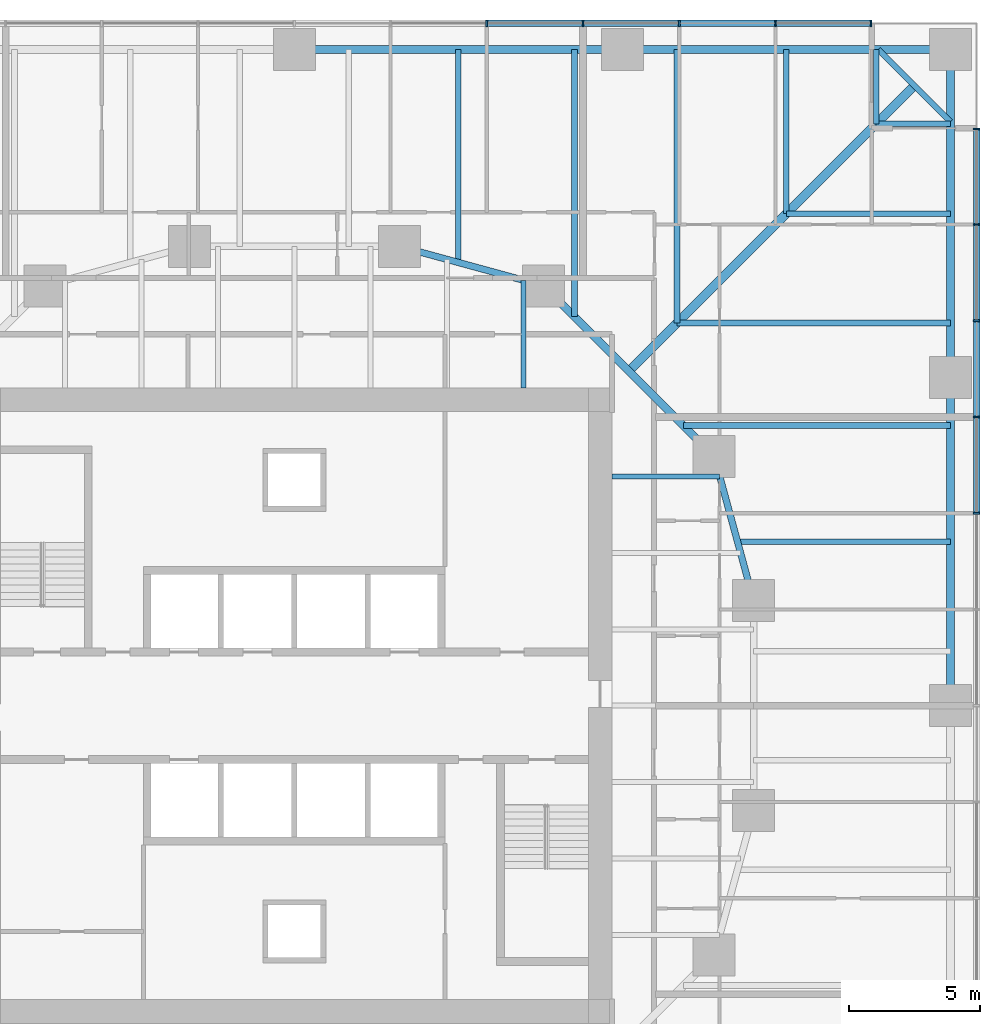
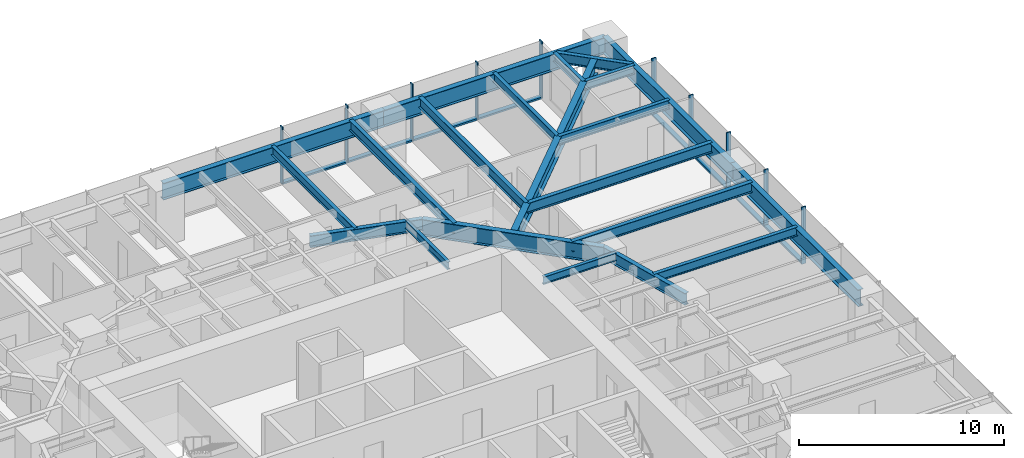
# One storey, part 6 of 14: 21 beams, 18 members, 2 elements without a shape of their own.
"""IFC4 building model written with IfcOpenShell, lengths in metres."""

import ifcopenshell
import ifcopenshell.guid

model = None  # the IFC model being written
_history = None  # IfcOwnerHistory: only IFC2X3 demands one
_inside = {}  # id of a spatial element -> (the spatial element, [elements in it])
_under = {}  # id of a project, library or spatial element -> (it, [spatial elements below it])
_declared = {}  # id of a project -> (the project, [libraries it declares])
_typed = {}  # id of a type object -> (the type object, [elements of that type])
_made_of = {}  # id of a material, layer set ... -> (it, [elements and type objects made of it])


def new_model(schema):
    """Start an empty IFC model of exactly this schema.

    Asked for "IFC4X3", IfcOpenShell would pick the latest addendum, in which some entities
    have other attributes; the version numbers below select the first issue.
    IFC2X3 requires an IfcOwnerHistory on every rooted entity: one is made here for all.
    """
    global model, _history
    if schema == "IFC4X3":
        model = ifcopenshell.file(schema_version=(4, 3, 0, 0))
    else:
        model = ifcopenshell.file(schema=schema)
    _inside.clear()
    _under.clear()
    _declared.clear()
    _typed.clear()
    _made_of.clear()
    _history = None
    if model.schema == "IFC2X3":
        org = make("IfcOrganization", Name="unknown")
        user = make(
            "IfcPersonAndOrganization",
            ThePerson=make("IfcPerson", FamilyName="unknown"),
            TheOrganization=org,
        )
        app = make(
            "IfcApplication",
            ApplicationDeveloper=org,
            Version="unknown",
            ApplicationFullName="unknown",
            ApplicationIdentifier="unknown",
        )
        _history = make(
            "IfcOwnerHistory",
            OwningUser=user,
            OwningApplication=app,
            ChangeAction="ADDED",
            CreationDate=0,
        )
    return model


def make(cls, **values):
    """One entity of the class cls with the attributes given. An attribute that is None is left unset."""
    return model.create_entity(
        cls, **{name: value for name, value in values.items() if value is not None}
    )


def rooted(cls, **values):
    """An entity with a GlobalId (a new one), such as an element, a storey or a relation."""
    return make(cls, GlobalId=ifcopenshell.guid.new(), OwnerHistory=_history, **values)


def si_unit(unit_type, name, prefix=None):
    """IfcSIUnit, for example si_unit("LENGTHUNIT", "METRE", prefix="MILLI")."""
    return make("IfcSIUnit", UnitType=unit_type, Prefix=prefix, Name=name)


def assignment(units):
    """IfcUnitAssignment: the units of a project."""
    return None if units is None else make("IfcUnitAssignment", Units=units)


def point(xyz):
    """IfcCartesianPoint."""
    return None if xyz is None else make("IfcCartesianPoint", Coordinates=xyz)


def direction(xyz):
    """IfcDirection."""
    return None if xyz is None else make("IfcDirection", DirectionRatios=xyz)


def frame(location, z_axis=None, x_axis=None):
    """IfcAxis2Placement3D, a coordinate frame: its origin and axes. An axis left out is left unset."""
    return make(
        "IfcAxis2Placement3D",
        Location=point(location),
        Axis=direction(z_axis),
        RefDirection=direction(x_axis),
    )


def frame_2d(location, x_axis=None):
    """IfcAxis2Placement2D, a coordinate frame in the plane: its origin and x axis."""
    return make(
        "IfcAxis2Placement2D", Location=point(location), RefDirection=direction(x_axis)
    )


def origin():
    """The frame at (0, 0, 0) with its axes left unset."""
    return frame((0.0, 0.0, 0.0))


def origin_2d():
    """The frame at (0, 0) in the plane with its x axis left unset."""
    return frame_2d((0.0, 0.0))


def place(relative_to, where):
    """IfcLocalPlacement: puts the frame where relative to a parent placement (None: the world)."""
    return make(
        "IfcLocalPlacement", PlacementRelTo=relative_to, RelativePlacement=where
    )


def context(
    kind, dimensions, precision=None, world=None, true_north=None, identifier=None
):
    """IfcGeometricRepresentationContext, for example the 3D "Model" context."""
    return make(
        "IfcGeometricRepresentationContext",
        ContextIdentifier=identifier,
        ContextType=kind,
        CoordinateSpaceDimension=dimensions,
        Precision=precision,
        WorldCoordinateSystem=world,
        TrueNorth=true_north,
    )


def subcontext(parent, identifier, kind, view, scale=None):
    """IfcGeometricRepresentationSubContext, for example "Body" below "Model"."""
    return make(
        "IfcGeometricRepresentationSubContext",
        ContextIdentifier=identifier,
        ContextType=kind,
        ParentContext=parent,
        TargetScale=scale,
        TargetView=view,
    )


def project(units=None, contexts=None):
    """IfcProject with its units and contexts."""
    return rooted(
        "IfcProject",
        Name="project",
        RepresentationContexts=contexts,
        UnitsInContext=assignment(units),
    )


def spatial(cls, under=None, at=None, **own):
    """A site, building, storey or space (cls), placed at a placement, below another one or the project."""
    s = rooted(cls, ObjectPlacement=at, **own)
    if under is not None:
        _under.setdefault(under.id(), (under, []))[1].append(s)
    return s


def profile(cls, at=None, kind="AREA", **sizes):
    """A parametric profile (cls). Its sizes go by their IFC names, for example OverallWidth=200.0."""
    return make(cls, ProfileType=kind, Position=at, **sizes)


def rectangle(**sizes):
    """IfcRectangleProfileDef."""
    return profile("IfcRectangleProfileDef", **sizes)


def i_section(**sizes):
    """IfcIShapeProfileDef."""
    return profile("IfcIShapeProfileDef", **sizes)


def extrude(swept, where, along, depth):
    """IfcExtrudedAreaSolid: the profile swept, set in the frame where, extruded along a direction by depth."""
    return make(
        "IfcExtrudedAreaSolid",
        SweptArea=swept,
        Position=where,
        ExtrudedDirection=direction(along),
        Depth=depth,
    )


def shape(context_of_items, identifier, shape_type, items):
    """IfcShapeRepresentation: the items that make up one representation, for example the "Body"."""
    return make(
        "IfcShapeRepresentation",
        ContextOfItems=context_of_items,
        RepresentationIdentifier=identifier,
        RepresentationType=shape_type,
        Items=items,
    )


def material(Name=None, Category=None):
    """IfcMaterial."""
    return make("IfcMaterial", Name=Name, Category=Category)


def material_profile(
    of_material, cross_section, Name=None, Category=None, Priority=None
):
    """IfcMaterialProfile: a cross section and its material."""
    return make(
        "IfcMaterialProfile",
        Name=Name,
        Material=of_material,
        Profile=cross_section,
        Priority=Priority,
        Category=Category,
    )


def profile_set(profiles, Name=None, composite=None):
    """IfcMaterialProfileSet."""
    return make(
        "IfcMaterialProfileSet",
        Name=Name,
        MaterialProfiles=profiles,
        CompositeProfile=composite,
    )


def made_of(thing, what):
    """Note that an element or type object is made of a material, layer set ...; save() writes the relation."""
    if what is not None:
        _made_of.setdefault(what.id(), (what, []))[1].append(thing)
    return thing


def type_object(cls, material=None, **own):
    """A type object (cls), such as IfcWallType, which elements share."""
    return made_of(rooted(cls, **own), material)


def element(
    cls,
    number,
    at=None,
    inside=None,
    cuts=None,
    type_object=None,
    material=None,
    context=None,
    identifier="Body",
    shape_type=None,
    held_by="IfcProductDefinitionShape",
    body=None,
    shapes=None,
    **own,
):
    """One element of the class cls, such as IfcWall. Its Tag is "e" and its number.

    at: its placement. inside: the storey or other place that contains it. cuts: it is an
    opening in that element (IfcRelVoidsElement). A single representation is given by context,
    identifier, shape_type and body (its items); several are given by shapes. held_by: the class
    of the entity that holds the representations. save() writes the other relations.
    """
    e = rooted(cls, Tag="e%d" % number, ObjectPlacement=at, **own)
    if body is not None:
        shapes = [shape(context, identifier, shape_type, body)]
    if shapes is not None:
        e.Representation = make(held_by, Representations=shapes)
    if inside is not None:
        _inside.setdefault(inside.id(), (inside, []))[1].append(e)
    if cuts is not None:
        rooted(
            "IfcRelVoidsElement", RelatingBuildingElement=cuts, RelatedOpeningElement=e
        )
    if type_object is not None:
        _typed.setdefault(type_object.id(), (type_object, []))[1].append(e)
    return made_of(e, material)


def aggregate(whole, parts):
    """IfcRelAggregates: a whole, such as a stair, and the parts it consists of."""
    return rooted("IfcRelAggregates", RelatingObject=whole, RelatedObjects=parts)


def save(model, path):
    """Write the relations noted so far, then the file.

    IfcRelAggregates (storeys below a building ...), IfcRelContainedInSpatialStructure (elements
    in a storey), IfcRelDefinesByType, IfcRelAssociatesMaterial and IfcRelDeclares: one each for
    every whole, place, type object, material and project.
    """
    for whole, parts in _under.values():
        aggregate(whole, parts)
    for where, things in _inside.values():
        rooted(
            "IfcRelContainedInSpatialStructure",
            RelatedElements=things,
            RelatingStructure=where,
        )
    for kind, things in _typed.values():
        rooted("IfcRelDefinesByType", RelatedObjects=things, RelatingType=kind)
    for what, things in _made_of.values():
        rooted("IfcRelAssociatesMaterial", RelatedObjects=things, RelatingMaterial=what)
    for by, libraries in _declared.values():
        rooted("IfcRelDeclares", RelatingContext=by, RelatedDefinitions=libraries)
    model.write(path)


model = new_model("IFC4")

# Units and contexts
model_context = context("Model", 3, precision=1e-05, world=origin(), true_north=direction((0.0, 1.0)))
body_context = subcontext(model_context, "Body", "Model", "MODEL_VIEW")
ifc_project = project(units=[si_unit("LENGTHUNIT", "METRE"), si_unit("AREAUNIT", "SQUARE_METRE"), si_unit("VOLUMEUNIT", "CUBIC_METRE"), si_unit("PLANEANGLEUNIT", "RADIAN"), si_unit("MASSUNIT", "GRAM", prefix="KILO")], contexts=[model_context])

# Site, building, storey
site_placement = place(None, origin())
site = spatial("IfcSite", under=ifc_project, at=site_placement, CompositionType="ELEMENT")
building_placement = place(site_placement, origin())
building = spatial("IfcBuilding", under=site, at=building_placement, Name="Torsade Residences", CompositionType="ELEMENT")
storey_placement = place(building_placement, frame((0.0, 0.0, 32.0)))
storey = spatial("IfcBuildingStorey", under=building, at=storey_placement, Name="L08", CompositionType="ELEMENT", Elevation=32.0)

# Beams
ifc_material_1 = material(Name="Steel grade 300", Category="steel")
ifc_material_profile_1 = material_profile(ifc_material_1, i_section(OverallWidth=0.35009765625, OverallDepth=0.909912109375, WebThickness=0.011962890625, FlangeThickness=0.02490234375, at=origin_2d()), Name="900WB218")
ifc_profile_set_1 = profile_set([ifc_material_profile_1], Name="Steel grade 300")
beam_type_1 = type_object("IfcBeamType", Name="CORNER GIRDER 900WB218", PredefinedType="BEAM", material=ifc_profile_set_1)
beam_1_placement = place(storey_placement, frame((63.625, 53.625, 2.794921875), z_axis=(-0.707106781187, -0.707106781187, 0.0), x_axis=(0.707106781187, -0.707106781187, 0.0)))
element("IfcBeam", 1, at=beam_1_placement, inside=storey, type_object=beam_type_1, Name="Corner girder 09 L09", PredefinedType="BEAM", context=body_context, shape_type="SweptSolid", body=[
    extrude(i_section(OverallWidth=0.35009765625, OverallDepth=0.909912109375, WebThickness=0.011962890625, FlangeThickness=0.02490234375, at=origin_2d()), origin(), (0.0, 0.0, 1.0), 15.379638671875),
])
ifc_material_2 = material(Name="Steel grade 300", Category="steel")
ifc_material_profile_2 = material_profile(ifc_material_2, i_section(OverallWidth=0.22802734375, OverallDepth=0.60205078125, WebThickness=0.010498046875, FlangeThickness=0.014892578125, FilletRadius=0.013916015625, at=origin_2d()), Name="610UB101")
ifc_profile_set_2 = profile_set([ifc_material_profile_2], Name="Steel grade 300")
beam_type_2 = type_object("IfcBeamType", Name="CORNER TRIMMER 610UB101", PredefinedType="BEAM", material=ifc_profile_set_2)
beam_2_placement = place(storey_placement, frame((62.25, 55.0, 2.948974609375), z_axis=(0.707106781187, -0.707106781187, 0.0), x_axis=(0.707106781187, 0.707106781187, 0.0)))
element("IfcBeam", 2, at=beam_2_placement, inside=storey, type_object=beam_type_2, Name="Corner trimmer 09 L09", PredefinedType="BEAM", context=body_context, shape_type="SweptSolid", body=[
    extrude(i_section(OverallWidth=0.22802734375, OverallDepth=0.60205078125, WebThickness=0.010498046875, FlangeThickness=0.014892578125, FilletRadius=0.013916015625, at=origin_2d()), origin(), (0.0, 0.0, 1.0), 3.88916015625),
])

# Curtain wall, members
ifc_material_3 = material(Name="Aluminium and glass", Category="aluminium")
curtain_wall_type = type_object("IfcCurtainWallType", Name="FRITTED GLASS CURTAIN WALL LOW ZONE", PredefinedType="NOTDEFINED", material=ifc_material_3)
curtain_wall_1_placement = place(storey_placement, origin())
curtain_wall_1 = element("IfcCurtainWall", 3, at=curtain_wall_1_placement, inside=storey, type_object=curtain_wall_type, Name="Curtain wall L08 face 4", PredefinedType="NOTDEFINED")
ifc_material_4 = material(Name="Aluminium mullion", Category="aluminium")
ifc_material_profile_3 = material_profile(ifc_material_4, rectangle(XDim=0.25, YDim=0.06494140625, at=origin_2d()), Name="CURTAIN WALL MULLION 250x65")
ifc_profile_set_3 = profile_set([ifc_material_profile_3], Name="Aluminium mullion")
member_type_1 = type_object("IfcMemberType", Name="CURTAIN WALL MULLION 250x65", PredefinedType="MULLION", material=ifc_profile_set_3)
member_1_placement = place(storey_placement, frame((66.0, 37.333251953125, 0.0), z_axis=(0.0, 0.0, 1.0), x_axis=(-1.0, 0.0, 0.0)))
member_1 = element("IfcMember", 4, at=member_1_placement, type_object=member_type_1, Name="Mullion 9", PredefinedType="MULLION", context=body_context, shape_type="SweptSolid", body=[
    extrude(rectangle(XDim=0.25, YDim=0.06494140625, at=origin_2d()), origin(), (0.0, 0.0, 1.0), 3.39990234375),
])
member_2_placement = place(storey_placement, frame((66.0, 41.0, 0.0), z_axis=(0.0, 0.0, 1.0), x_axis=(-1.0, 0.0, 0.0)))
member_2 = element("IfcMember", 5, at=member_2_placement, type_object=member_type_1, Name="Mullion 10", PredefinedType="MULLION", context=body_context, shape_type="SweptSolid", body=[
    extrude(rectangle(XDim=0.25, YDim=0.06494140625, at=origin_2d()), origin(), (0.0, 0.0, 1.0), 3.39990234375),
])
member_3_placement = place(storey_placement, frame((66.0, 44.666748046875, 0.0), z_axis=(0.0, 0.0, 1.0), x_axis=(-1.0, 0.0, 0.0)))
member_3 = element("IfcMember", 6, at=member_3_placement, type_object=member_type_1, Name="Mullion 11", PredefinedType="MULLION", context=body_context, shape_type="SweptSolid", body=[
    extrude(rectangle(XDim=0.25, YDim=0.06494140625, at=origin_2d()), origin(), (0.0, 0.0, 1.0), 3.39990234375),
])
member_4_placement = place(storey_placement, frame((66.0, 48.333251953125, 0.0), z_axis=(0.0, 0.0, 1.0), x_axis=(-1.0, 0.0, 0.0)))
member_4 = element("IfcMember", 7, at=member_4_placement, type_object=member_type_1, Name="Mullion 12", PredefinedType="MULLION", context=body_context, shape_type="SweptSolid", body=[
    extrude(rectangle(XDim=0.25, YDim=0.06494140625, at=origin_2d()), origin(), (0.0, 0.0, 1.0), 3.39990234375),
])
member_5_placement = place(storey_placement, frame((66.0, 51.967529296875, 0.0), z_axis=(0.0, 0.0, 1.0), x_axis=(-1.0, 0.0, 0.0)))
member_5 = element("IfcMember", 8, at=member_5_placement, type_object=member_type_1, Name="Mullion 13", PredefinedType="MULLION", context=body_context, shape_type="SweptSolid", body=[
    extrude(rectangle(XDim=0.25, YDim=0.06494140625, at=origin_2d()), origin(), (0.0, 0.0, 1.0), 3.39990234375),
])

curtain_wall_2_placement = place(storey_placement, origin())
curtain_wall_2 = element("IfcCurtainWall", 9, at=curtain_wall_2_placement, inside=storey, type_object=curtain_wall_type, Name="Curtain wall L08 face 7", PredefinedType="NOTDEFINED")
member_6_placement = place(storey_placement, frame((61.967529296875, 56.0, 0.0), z_axis=(0.0, 0.0, 1.0), x_axis=(0.0, -1.0, 0.0)))
member_6 = element("IfcMember", 10, at=member_6_placement, type_object=member_type_1, Name="Mullion 1", PredefinedType="MULLION", context=body_context, shape_type="SweptSolid", body=[
    extrude(rectangle(XDim=0.25, YDim=0.06494140625, at=origin_2d()), origin(), (0.0, 0.0, 1.0), 3.39990234375),
])
member_7_placement = place(storey_placement, frame((58.333251953125, 56.0, 0.0), z_axis=(0.0, 0.0, 1.0), x_axis=(0.0, -1.0, 0.0)))
member_7 = element("IfcMember", 11, at=member_7_placement, type_object=member_type_1, Name="Mullion 2", PredefinedType="MULLION", context=body_context, shape_type="SweptSolid", body=[
    extrude(rectangle(XDim=0.25, YDim=0.06494140625, at=origin_2d()), origin(), (0.0, 0.0, 1.0), 3.39990234375),
])
member_8_placement = place(storey_placement, frame((54.666748046875, 56.0, 0.0), z_axis=(0.0, 0.0, 1.0), x_axis=(0.0, -1.0, 0.0)))
member_8 = element("IfcMember", 12, at=member_8_placement, type_object=member_type_1, Name="Mullion 3", PredefinedType="MULLION", context=body_context, shape_type="SweptSolid", body=[
    extrude(rectangle(XDim=0.25, YDim=0.06494140625, at=origin_2d()), origin(), (0.0, 0.0, 1.0), 3.39990234375),
])
member_9_placement = place(storey_placement, frame((51.0, 56.0, 0.0), z_axis=(0.0, 0.0, 1.0), x_axis=(0.0, -1.0, 0.0)))
member_9 = element("IfcMember", 13, at=member_9_placement, type_object=member_type_1, Name="Mullion 4", PredefinedType="MULLION", context=body_context, shape_type="SweptSolid", body=[
    extrude(rectangle(XDim=0.25, YDim=0.06494140625, at=origin_2d()), origin(), (0.0, 0.0, 1.0), 3.39990234375),
])
member_10_placement = place(storey_placement, frame((47.333251953125, 56.0, 0.0), z_axis=(0.0, 0.0, 1.0), x_axis=(0.0, -1.0, 0.0)))
member_10 = element("IfcMember", 14, at=member_10_placement, type_object=member_type_1, Name="Mullion 5", PredefinedType="MULLION", context=body_context, shape_type="SweptSolid", body=[
    extrude(rectangle(XDim=0.25, YDim=0.06494140625, at=origin_2d()), origin(), (0.0, 0.0, 1.0), 3.39990234375),
])

# Member
ifc_material_5 = material(Name="Aluminium transom", Category="aluminium")
ifc_material_profile_4 = material_profile(ifc_material_5, rectangle(XDim=0.25, YDim=0.10009765625, at=origin_2d()), Name="CURTAIN WALL TRANSOM 250x100")
ifc_profile_set_4 = profile_set([ifc_material_profile_4], Name="Aluminium transom")
member_type_2 = type_object("IfcMemberType", Name="CURTAIN WALL TRANSOM 250x100", PredefinedType="USERDEFINED", material=ifc_profile_set_4)
member_11_placement = place(storey_placement, frame((66.0, 37.36572265625, 0.050048828125), z_axis=(0.0, 1.0, 0.0), x_axis=(-1.0, 0.0, 0.0)))
member_11 = element("IfcMember", 15, at=member_11_placement, type_object=member_type_2, Name="Transom 9.1", ObjectType="TRANSOM", PredefinedType="USERDEFINED", context=body_context, shape_type="SweptSolid", body=[
    extrude(rectangle(XDim=0.25, YDim=0.10009765625, at=origin_2d()), origin(), (0.0, 0.0, 1.0), 3.601806640625),
])

member_12_placement = place(storey_placement, frame((66.0, 41.032470703125, 0.050048828125), z_axis=(0.0, 1.0, 0.0), x_axis=(-1.0, 0.0, 0.0)))
member_12 = element("IfcMember", 16, at=member_12_placement, type_object=member_type_2, Name="Transom 10.1", ObjectType="TRANSOM", PredefinedType="USERDEFINED", context=body_context, shape_type="SweptSolid", body=[
    extrude(rectangle(XDim=0.25, YDim=0.10009765625, at=origin_2d()), origin(), (0.0, 0.0, 1.0), 3.601806640625),
])

member_13_placement = place(storey_placement, frame((66.0, 44.69921875, 0.050048828125), z_axis=(0.0, 1.0, 0.0), x_axis=(-1.0, 0.0, 0.0)))
member_13 = element("IfcMember", 17, at=member_13_placement, type_object=member_type_2, Name="Transom 11.1", ObjectType="TRANSOM", PredefinedType="USERDEFINED", context=body_context, shape_type="SweptSolid", body=[
    extrude(rectangle(XDim=0.25, YDim=0.10009765625, at=origin_2d()), origin(), (0.0, 0.0, 1.0), 3.6015625),
])

member_14_placement = place(storey_placement, frame((66.0, 48.36572265625, 0.050048828125), z_axis=(0.0, 1.0, 0.0), x_axis=(-1.0, 0.0, 0.0)))
member_14 = element("IfcMember", 18, at=member_14_placement, type_object=member_type_2, Name="Transom 12.1", ObjectType="TRANSOM", PredefinedType="USERDEFINED", context=body_context, shape_type="SweptSolid", body=[
    extrude(rectangle(XDim=0.25, YDim=0.10009765625, at=origin_2d()), origin(), (0.0, 0.0, 1.0), 3.5693359375),
])

aggregate(curtain_wall_1, [member_1, member_2, member_3, member_4, member_5, member_11, member_12, member_13, member_14])

member_15_placement = place(storey_placement, frame((61.93505859375, 56.0, 0.050048828125), z_axis=(-1.0, 0.0, 0.0), x_axis=(0.0, -1.0, 0.0)))
member_15 = element("IfcMember", 19, at=member_15_placement, type_object=member_type_2, Name="Transom 1.1", ObjectType="TRANSOM", PredefinedType="USERDEFINED", context=body_context, shape_type="SweptSolid", body=[
    extrude(rectangle(XDim=0.25, YDim=0.10009765625, at=origin_2d()), origin(), (0.0, 0.0, 1.0), 3.5693359375),
])

member_16_placement = place(storey_placement, frame((58.30078125, 56.0, 0.050048828125), z_axis=(-1.0, 0.0, 0.0), x_axis=(0.0, -1.0, 0.0)))
member_16 = element("IfcMember", 20, at=member_16_placement, type_object=member_type_2, Name="Transom 2.1", ObjectType="TRANSOM", PredefinedType="USERDEFINED", context=body_context, shape_type="SweptSolid", body=[
    extrude(rectangle(XDim=0.25, YDim=0.10009765625, at=origin_2d()), origin(), (0.0, 0.0, 1.0), 3.6015625),
])

member_17_placement = place(storey_placement, frame((54.63427734375, 56.0, 0.050048828125), z_axis=(-1.0, 0.0, 0.0), x_axis=(0.0, -1.0, 0.0)))
member_17 = element("IfcMember", 21, at=member_17_placement, type_object=member_type_2, Name="Transom 3.1", ObjectType="TRANSOM", PredefinedType="USERDEFINED", context=body_context, shape_type="SweptSolid", body=[
    extrude(rectangle(XDim=0.25, YDim=0.10009765625, at=origin_2d()), origin(), (0.0, 0.0, 1.0), 3.601806640625),
])

member_18_placement = place(storey_placement, frame((50.967529296875, 56.0, 0.050048828125), z_axis=(-1.0, 0.0, 0.0), x_axis=(0.0, -1.0, 0.0)))
member_18 = element("IfcMember", 22, at=member_18_placement, type_object=member_type_2, Name="Transom 4.1", ObjectType="TRANSOM", PredefinedType="USERDEFINED", context=body_context, shape_type="SweptSolid", body=[
    extrude(rectangle(XDim=0.25, YDim=0.10009765625, at=origin_2d()), origin(), (0.0, 0.0, 1.0), 3.601806640625),
])

aggregate(curtain_wall_2, [member_6, member_7, member_8, member_9, member_10, member_15, member_16, member_17, member_18])

# Beams
ifc_material_6 = material(Name="Steel grade 300", Category="steel")
ifc_material_profile_5 = material_profile(ifc_material_6, i_section(OverallWidth=0.300048828125, OverallDepth=1.0, WebThickness=0.01611328125, FlangeThickness=0.028076171875, at=origin_2d()), Name="1000WB215")
ifc_profile_set_5 = profile_set([ifc_material_profile_5], Name="Steel grade 300")
beam_type_3 = type_object("IfcBeamType", Name="EDGE BEAM 1000WB215", PredefinedType="SPANDREL", material=ifc_profile_set_5)
for number, where, z_axis, x_axis, name in (
    (23, (65.0, 30.0, 2.75), (0.0, 1.0, 0.0), (-1.0, 0.0, 0.0), "Edge beam 07 L09"),
    (24, (65.0, 42.5, 2.75), (0.0, 1.0, 0.0), (-1.0, 0.0, 0.0), "Edge beam 08 L09"),
    (25, (65.0, 55.0, 2.75), (-1.0, 0.0, 0.0), (0.0, -1.0, 0.0), "Edge beam 09 L09"),
    (26, (52.5, 55.0, 2.75), (-1.0, 0.0, 0.0), (0.0, -1.0, 0.0), "Edge beam 10 L09"),
):
    element("IfcBeam", number, at=place(storey_placement, frame(where, z_axis=z_axis, x_axis=x_axis)), inside=storey, type_object=beam_type_3, Name=name, PredefinedType="SPANDREL", context=body_context, shape_type="SweptSolid", body=[
        extrude(i_section(OverallWidth=0.300048828125, OverallDepth=1.0, WebThickness=0.01611328125, FlangeThickness=0.028076171875, at=origin_2d()), origin(), (0.0, 0.0, 1.0), 12.5),
    ])
ifc_material_7 = material(Name="Steel grade 300", Category="steel")
ifc_material_profile_6 = material_profile(ifc_material_7, i_section(OverallWidth=0.18994140625, OverallDepth=0.4541015625, WebThickness=0.008544921875, FlangeThickness=0.0126953125, FilletRadius=0.011474609375, at=origin_2d()), Name="460UB67.1")
ifc_profile_set_6 = profile_set([ifc_material_profile_6], Name="Steel grade 300")
beam_type_4 = type_object("IfcBeamType", Name="INNER FLOOR BEAM 460UB67.1", PredefinedType="JOIST", material=ifc_profile_set_6)
for number, where, z_axis, x_axis, name in (
    (27, (48.737548828125, 42.10009765625, 3.02294921875), (0.0, 1.0, 0.0), (-1.0, 0.0, 0.0), "Inner floor beam IN07 L09"),
    (28, (52.10009765625, 38.737548828125, 3.02294921875), (1.0, 0.0, 0.0), (0.0, 1.0, 0.0), "Inner floor beam IE07 L09"),
):
    element("IfcBeam", number, at=place(storey_placement, frame(where, z_axis=z_axis, x_axis=x_axis)), inside=storey, type_object=beam_type_4, Name=name, PredefinedType="JOIST", context=body_context, shape_type="SweptSolid", body=[
        extrude(i_section(OverallWidth=0.18994140625, OverallDepth=0.4541015625, WebThickness=0.008544921875, FlangeThickness=0.0126953125, FilletRadius=0.011474609375, at=origin_2d()), origin(), (0.0, 0.0, 1.0), 4.10791015625),
    ])
ifc_material_8 = material(Name="Steel grade 300", Category="steel")
ifc_material_profile_7 = material_profile(ifc_material_8, i_section(OverallWidth=0.300048828125, OverallDepth=1.0, WebThickness=0.01611328125, FlangeThickness=0.028076171875, at=origin_2d()), Name="1000WB215")
ifc_profile_set_7 = profile_set([ifc_material_profile_7], Name="Steel grade 300")
beam_type_5 = type_object("IfcBeamType", Name="RING CORNER GIRDER 1000WB215", PredefinedType="BEAM", material=ifc_profile_set_7)
beam_3_placement = place(storey_placement, frame((56.0, 39.5, 2.75), z_axis=(-0.707106781187, 0.707106781187, 0.0), x_axis=(-0.707106781187, -0.707106781187, 0.0)))
element("IfcBeam", 29, at=beam_3_placement, inside=storey, type_object=beam_type_5, Name="Ring girder IR03 L09", PredefinedType="BEAM", context=body_context, shape_type="SweptSolid", body=[
    extrude(i_section(OverallWidth=0.300048828125, OverallDepth=1.0, WebThickness=0.01611328125, FlangeThickness=0.028076171875, at=origin_2d()), origin(), (0.0, 0.0, 1.0), 9.1923828125),
])
ifc_material_9 = material(Name="Steel grade 300", Category="steel")
ifc_material_profile_8 = material_profile(ifc_material_9, i_section(OverallWidth=0.25, OverallDepth=0.699951171875, WebThickness=0.010009765625, FlangeThickness=0.02001953125, at=origin_2d()), Name="700WB130")
ifc_profile_set_8 = profile_set([ifc_material_profile_8], Name="Steel grade 300")
beam_type_6 = type_object("IfcBeamType", Name="RING GIRDER 700WB130", PredefinedType="BEAM", material=ifc_profile_set_8)
for number, where, z_axis, x_axis, name in (
    (30, (57.5, 34.0, 2.89990234375), (-0.263117405792, 0.964763821238, 0.0), (-0.964763821238, -0.263117405792, 0.0), "Ring girder IR02 L09"),
    (31, (49.5, 46.0, 2.89990234375), (-0.964763821238, 0.263117405792, 0.0), (-0.263117405792, -0.964763821238, 0.0), "Ring girder IR04 L09"),
):
    element("IfcBeam", number, at=place(storey_placement, frame(where, z_axis=z_axis, x_axis=x_axis)), inside=storey, type_object=beam_type_6, Name=name, PredefinedType="BEAM", context=body_context, shape_type="SweptSolid", body=[
        extrude(i_section(OverallWidth=0.25, OverallDepth=0.699951171875, WebThickness=0.010009765625, FlangeThickness=0.02001953125, at=origin_2d()), origin(), (0.0, 0.0, 1.0), 5.700927734375),
    ])
ifc_material_10 = material(Name="Steel grade 300", Category="steel")
ifc_material_profile_9 = material_profile(ifc_material_10, i_section(OverallWidth=0.208984375, OverallDepth=0.528076171875, WebThickness=0.009521484375, FlangeThickness=0.01318359375, FilletRadius=0.013916015625, at=origin_2d()), Name="530UB82.0")
ifc_profile_set_9 = profile_set([ifc_material_profile_9], Name="Steel grade 300")
beam_type_7 = type_object("IfcBeamType", Name="SECONDARY BEAM 530UB82.0", PredefinedType="JOIST", material=ifc_profile_set_9)
beam_4_placement = place(storey_placement, frame((65.0, 36.25, 2.986083984375), z_axis=(-1.0, 0.0, 0.0), x_axis=(0.0, -1.0, 0.0)))
element("IfcBeam", 32, at=beam_4_placement, inside=storey, type_object=beam_type_7, Name="Floor beam FE08 L09", PredefinedType="JOIST", context=body_context, shape_type="SweptSolid", body=[
    extrude(i_section(OverallWidth=0.208984375, OverallDepth=0.528076171875, WebThickness=0.009521484375, FlangeThickness=0.01318359375, FilletRadius=0.013916015625, at=origin_2d()), origin(), (0.0, 0.0, 1.0), 8.113525390625),
])
beam_5_placement = place(storey_placement, frame((65.0, 48.75, 2.986083984375), z_axis=(-1.0, 0.0, 0.0), x_axis=(0.0, -1.0, 0.0)))
element("IfcBeam", 33, at=beam_5_placement, inside=storey, type_object=beam_type_7, Name="Floor beam FE11 L09", PredefinedType="JOIST", context=body_context, shape_type="SweptSolid", body=[
    extrude(i_section(OverallWidth=0.208984375, OverallDepth=0.528076171875, WebThickness=0.009521484375, FlangeThickness=0.01318359375, FilletRadius=0.013916015625, at=origin_2d()), origin(), (0.0, 0.0, 1.0), 6.25),
])
for number, where, z_axis, x_axis, name in (
    (34, (65.0, 52.166748046875, 2.986083984375), (-1.0, 0.0, 0.0), (0.0, -1.0, 0.0), "Floor beam FE12 L09"),
    (35, (62.166748046875, 55.0, 2.986083984375), (0.0, -1.0, 0.0), (1.0, 0.0, 0.0), "Floor beam FN01 L09"),
):
    element("IfcBeam", number, at=place(storey_placement, frame(where, z_axis=z_axis, x_axis=x_axis)), inside=storey, type_object=beam_type_7, Name=name, PredefinedType="JOIST", context=body_context, shape_type="SweptSolid", body=[
        extrude(i_section(OverallWidth=0.208984375, OverallDepth=0.528076171875, WebThickness=0.009521484375, FlangeThickness=0.01318359375, FilletRadius=0.013916015625, at=origin_2d()), origin(), (0.0, 0.0, 1.0), 2.833251953125),
    ])
beam_6_placement = place(storey_placement, frame((58.75, 55.0, 2.986083984375), z_axis=(0.0, -1.0, 0.0), x_axis=(1.0, 0.0, 0.0)))
element("IfcBeam", 36, at=beam_6_placement, inside=storey, type_object=beam_type_7, Name="Floor beam FN02 L09", PredefinedType="JOIST", context=body_context, shape_type="SweptSolid", body=[
    extrude(i_section(OverallWidth=0.208984375, OverallDepth=0.528076171875, WebThickness=0.009521484375, FlangeThickness=0.01318359375, FilletRadius=0.013916015625, at=origin_2d()), origin(), (0.0, 0.0, 1.0), 6.25),
])
beam_7_placement = place(storey_placement, frame((46.25, 55.0, 2.986083984375), z_axis=(0.0, -1.0, 0.0), x_axis=(1.0, 0.0, 0.0)))
element("IfcBeam", 37, at=beam_7_placement, inside=storey, type_object=beam_type_7, Name="Floor beam FN05 L09", PredefinedType="JOIST", context=body_context, shape_type="SweptSolid", body=[
    extrude(i_section(OverallWidth=0.208984375, OverallDepth=0.528076171875, WebThickness=0.009521484375, FlangeThickness=0.01318359375, FilletRadius=0.013916015625, at=origin_2d()), origin(), (0.0, 0.0, 1.0), 8.113525390625),
])
ifc_material_11 = material(Name="Steel grade 300", Category="steel")
ifc_material_profile_10 = material_profile(ifc_material_11, i_section(OverallWidth=0.22900390625, OverallDepth=0.612060546875, WebThickness=0.011962890625, FlangeThickness=0.01953125, FilletRadius=0.013916015625, at=origin_2d()), Name="610UB125")
ifc_profile_set_10 = profile_set([ifc_material_profile_10], Name="Steel grade 300")
beam_type_8 = type_object("IfcBeamType", Name="SECONDARY BEAM 610UB125", PredefinedType="JOIST", material=ifc_profile_set_10)
beam_8_placement = place(storey_placement, frame((65.0, 40.666748046875, 2.944091796875), z_axis=(-1.0, 0.0, 0.0), x_axis=(0.0, -1.0, 0.0)))
element("IfcBeam", 38, at=beam_8_placement, inside=storey, type_object=beam_type_8, Name="Floor beam FE09 L09", PredefinedType="JOIST", context=body_context, shape_type="SweptSolid", body=[
    extrude(i_section(OverallWidth=0.22900390625, OverallDepth=0.612060546875, WebThickness=0.011962890625, FlangeThickness=0.01953125, FilletRadius=0.013916015625, at=origin_2d()), origin(), (0.0, 0.0, 1.0), 10.166748046875),
])
for number, where, z_axis, x_axis, name in (
    (39, (65.0, 44.583251953125, 2.944091796875), (-1.0, 0.0, 0.0), (0.0, -1.0, 0.0), "Floor beam FE10 L09"),
    (40, (54.583251953125, 55.0, 2.944091796875), (0.0, -1.0, 0.0), (1.0, 0.0, 0.0), "Floor beam FN03 L09"),
):
    element("IfcBeam", number, at=place(storey_placement, frame(where, z_axis=z_axis, x_axis=x_axis)), inside=storey, type_object=beam_type_8, Name=name, PredefinedType="JOIST", context=body_context, shape_type="SweptSolid", body=[
        extrude(i_section(OverallWidth=0.22900390625, OverallDepth=0.612060546875, WebThickness=0.011962890625, FlangeThickness=0.01953125, FilletRadius=0.013916015625, at=origin_2d()), origin(), (0.0, 0.0, 1.0), 10.416748046875),
    ])
beam_9_placement = place(storey_placement, frame((50.666748046875, 55.0, 2.944091796875), z_axis=(0.0, -1.0, 0.0), x_axis=(1.0, 0.0, 0.0)))
element("IfcBeam", 41, at=beam_9_placement, inside=storey, type_object=beam_type_8, Name="Floor beam FN04 L09", PredefinedType="JOIST", context=body_context, shape_type="SweptSolid", body=[
    extrude(i_section(OverallWidth=0.22900390625, OverallDepth=0.612060546875, WebThickness=0.011962890625, FlangeThickness=0.01953125, FilletRadius=0.013916015625, at=origin_2d()), origin(), (0.0, 0.0, 1.0), 10.166748046875),
])

save(model, "model.ifc")
